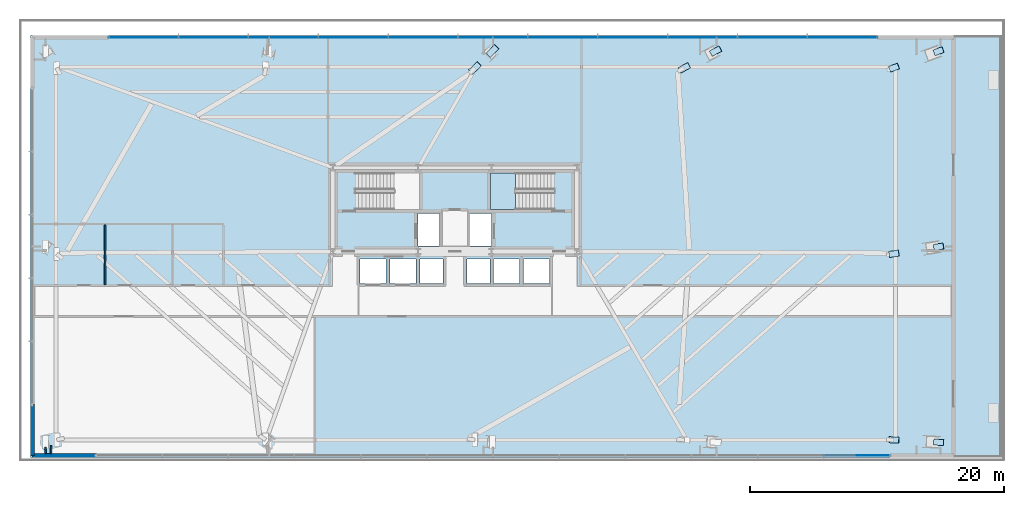
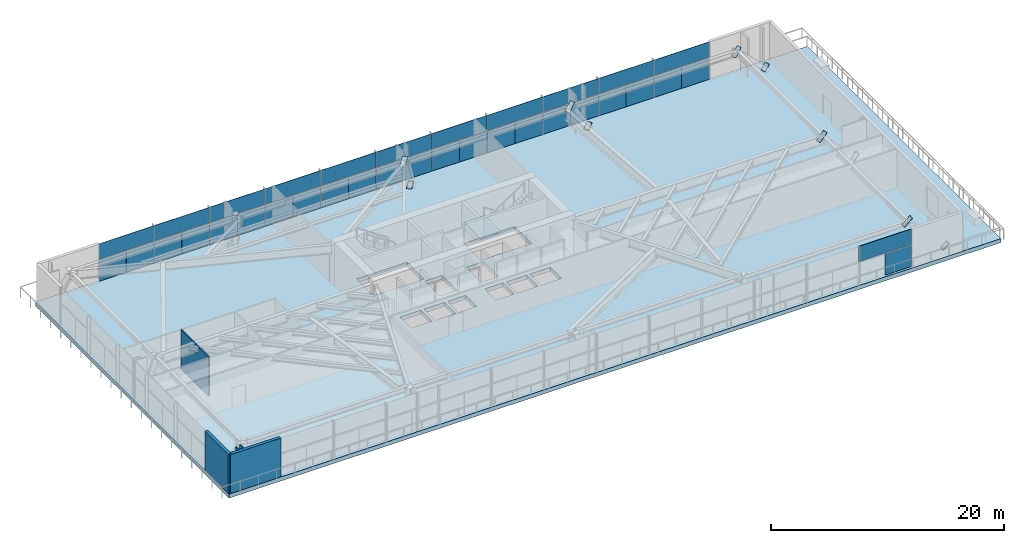
# One storey, part 23 of 33: 45 plates, 5 walls, 2 slabs, 3 elements without a shape of their own.
"""IFC4 building model written with IfcOpenShell, lengths in metres."""

from ifc_helpers import new_model, si_unit, direction, frame, frame_2d, origin, origin_2d, place, context, subcontext, project, spatial, polyline, rectangle, outline, extrude, source, transform, mapped, material, layer, layer_set, type_object, type_shapes, element, aggregate, save


model = new_model("IFC4")

# Units and contexts
model_context = context("Model", 3, precision=1e-05, world=origin(), true_north=direction((0.0, 1.0)))
body_context = subcontext(model_context, "Body", "Model", "MODEL_VIEW")
ifc_project = project(units=[si_unit("LENGTHUNIT", "METRE"), si_unit("AREAUNIT", "SQUARE_METRE"), si_unit("VOLUMEUNIT", "CUBIC_METRE"), si_unit("PLANEANGLEUNIT", "RADIAN"), si_unit("MASSUNIT", "GRAM", prefix="KILO")], contexts=[model_context])

# Site, building, storey
site_placement = place(None, origin())
site = spatial("IfcSite", under=ifc_project, at=site_placement, CompositionType="ELEMENT")
building_placement = place(site_placement, origin())
building = spatial("IfcBuilding", under=site, at=building_placement, Name="Astriad Promenade Condominiums", CompositionType="ELEMENT")
storey_placement = place(building_placement, frame((0.0, 0.0, 9.5)))
storey = spatial("IfcBuildingStorey", under=building, at=storey_placement, Name="L02", CompositionType="ELEMENT", Elevation=9.5)

# Slab
ifc_material_1 = material(Name="Concrete C60/75", Category="concrete")
ifc_layer_1 = layer(ifc_material_1, 0.419921875)
ifc_layer_set_1 = layer_set([ifc_layer_1], Name="Concrete C60/75")
slab_type_1 = type_object("IfcSlabType", Name="CONCRETE TRANSFER FLOOR SLAB 420", PredefinedType="FLOOR", material=ifc_layer_set_1)
slab_1_placement = place(storey_placement, frame((0.0, 0.0, -0.419921875)))
element("IfcSlab", 1, at=slab_1_placement, inside=storey, type_object=slab_type_1, Name="Structural Floor Slab (L02)", PredefinedType="FLOOR", context=body_context, shape_type="SweptSolid", body=[
    extrude(outline(polyline([(75.39990234375, 1.199951171875), (79.050048828125, 1.199951171875), (79.050048828125, 34.39990234375), (75.39990234375, 34.39990234375), (2.60009765625, 34.39990234375), (2.60009765625, 1.199951171875), (75.39990234375, 1.199951171875)]), holes=[polyline([(28.175048828125, 20.699951171875), (33.175048828125, 20.699951171875), (33.175048828125, 23.60009765625), (28.175048828125, 23.60009765625), (28.175048828125, 20.699951171875)]), polyline([(38.824951171875, 20.699951171875), (43.824951171875, 20.699951171875), (43.824951171875, 23.60009765625), (38.824951171875, 23.60009765625), (38.824951171875, 20.699951171875)]), polyline([(33.10009765625, 17.85009765625), (34.800048828125, 17.85009765625), (34.800048828125, 20.39990234375), (33.10009765625, 20.39990234375), (33.10009765625, 17.85009765625)]), polyline([(37.199951171875, 17.85009765625), (38.89990234375, 17.85009765625), (38.89990234375, 20.39990234375), (37.199951171875, 20.39990234375), (37.199951171875, 17.85009765625)]), polyline([(28.550048828125, 14.89990234375), (30.60009765625, 14.89990234375), (30.60009765625, 16.800048828125), (28.550048828125, 16.800048828125), (28.550048828125, 14.89990234375)]), polyline([(30.89990234375, 14.89990234375), (32.949951171875, 14.89990234375), (32.949951171875, 16.800048828125), (30.89990234375, 16.800048828125), (30.89990234375, 14.89990234375)]), polyline([(33.25, 14.89990234375), (35.050048828125, 14.89990234375), (35.050048828125, 16.800048828125), (33.25, 16.800048828125), (33.25, 14.89990234375)]), polyline([(36.949951171875, 14.89990234375), (38.75, 14.89990234375), (38.75, 16.800048828125), (36.949951171875, 16.800048828125), (36.949951171875, 14.89990234375)]), polyline([(39.050048828125, 14.89990234375), (41.10009765625, 14.89990234375), (41.10009765625, 16.800048828125), (39.050048828125, 16.800048828125), (39.050048828125, 14.89990234375)]), polyline([(41.39990234375, 14.89990234375), (43.449951171875, 14.89990234375), (43.449951171875, 16.800048828125), (41.39990234375, 16.800048828125), (41.39990234375, 14.89990234375)])]), origin(), (0.0, 0.0, 1.0), 0.419921875),
])

# Stair, slab
ifc_material_2 = material(Name="Concrete C50/60", Category="concrete")
stair_type = type_object("IfcStairType", Name="STR-CORE-1350", PredefinedType="HALF_TURN_STAIR", material=ifc_material_2)
stair_placement = place(storey_placement, origin())
stair = element("IfcStair", 2, at=stair_placement, inside=storey, type_object=stair_type, Name="L02 Enclosed Core Exit Stair ST-2", PredefinedType="HALF_TURN_STAIR")
ifc_layer_2 = layer(ifc_material_2, 0.219970703125)
ifc_layer_set_2 = layer_set([ifc_layer_2], Name="Concrete C50/60")
slab_type_2 = type_object("IfcSlabType", Name="SLB-LANDING-220", PredefinedType="LANDING", material=ifc_layer_set_2)
slab_2_placement = place(storey_placement, frame((0.0, 0.0, 2.050048828125)))
slab_2 = element("IfcSlab", 3, at=slab_2_placement, type_object=slab_type_2, Name="ST-2 landing 1", PredefinedType="LANDING", context=body_context, shape_type="SweptSolid", body=[
    extrude(outline(polyline([(40.77001953125, 23.60009765625), (38.800048828125, 23.60009765625), (38.800048828125, 20.699951171875), (40.77001953125, 20.699951171875), (40.77001953125, 23.60009765625)])), origin(), (0.0, 0.0, 1.0), 0.199951171875),
])
aggregate(stair, [slab_2])

# Plates
ifc_material_3 = material(Name="Steel ASTM A572 Grade 50", Category="steel")
ifc_layer_3 = layer(ifc_material_3, 0.02490234375)
ifc_layer_set_3 = layer_set([ifc_layer_3], Name="Steel ASTM A572 Grade 50")
plate_type_1 = type_object("IfcPlateType", Name="STEEL HOLLOW SECTION END CAP PLATE 30", PredefinedType="USERDEFINED", material=ifc_layer_set_3)
shared_shape_1 = source(origin(), body_context, "Body", "SweptSolid", [
    extrude(rectangle(XDim=0.477294921875, YDim=1.05126953125, at=origin_2d()), origin(), (0.0, 0.0, 1.0), 0.02490234375),
])
type_shapes(plate_type_1, [shared_shape_1])
for number, where, z_axis, x_axis, name in (
    (4, (74.0869140625, 2.386962890625, 0.14306640625), (-0.681120723954, 0.035848458998, 0.73129299695), (-0.052558832892, -0.998617829345, 0.0), "Hollow Section End Cap Plate COL-PC05-L02-A"),
    (5, (70.570068359375, 2.572021484375, 3.9189453125), (-0.681120723954, 0.035848458998, 0.73129299695), (-0.052558832892, -0.998617829345, 0.0), "Hollow Section End Cap Plate COL-PC05-L02-B"),
    (6, (38.96923828125, 33.1904296875, 0.08642578125), (-0.318616650015, -0.307660286014, 0.896564877041), (0.694630054833, -0.719367143344, 0.0), "Hollow Section End Cap Plate COL-PC08-L02-A"),
    (7, (37.588623046875, 31.857421875, 3.97119140625), (-0.318616650015, -0.307660286014, 0.896564877041), (0.694630054833, -0.719367143344, 0.0), "Hollow Section End Cap Plate COL-PC08-L02-B"),
    (8, (56.532470703125, 33.1787109375, 0.12060546875), (-0.519853292096, -0.277263598051, 0.808008324148), (0.470599479192, -0.882346944339, 0.0), "Hollow Section End Cap Plate COL-PC09-L02-A"),
    (9, (54.07568359375, 31.8681640625, 3.939208984375), (-0.519853292096, -0.277263598051, 0.808008324148), (0.470599479192, -0.882346944339, 0.0), "Hollow Section End Cap Plate COL-PC09-L02-B"),
    (10, (74.081787109375, 33.1689453125, 0.1484375), (-0.661031039096, -0.243535758035, 0.709738191103), (0.345702867579, -0.938344034642, 0.0), "Hollow Section End Cap Plate COL-PC10-L02-A"),
    (11, (70.57470703125, 31.876953125, 3.9140625), (-0.661031039096, -0.243535758035, 0.709738191103), (0.345702867579, -0.938344034642, 0.0), "Hollow Section End Cap Plate COL-PC10-L02-B"),
    (12, (74.086181640625, 17.77880859375, 0.143798828125), (-0.677634230996, -0.107005073999, 0.727572513995), (0.155977073424, -0.987760675754, 0.0), "Hollow Section End Cap Plate COL-PC12-L02-A"),
    (13, (70.571044921875, 17.2236328125, 3.91796875), (-0.677634230996, -0.107005073999, 0.727572513995), (0.155977073424, -0.987760675754, 0.0), "Hollow Section End Cap Plate COL-PC12-L02-B"),
):
    element("IfcPlate", number, at=place(storey_placement, frame(where, z_axis=z_axis, x_axis=x_axis)), inside=storey, type_object=plate_type_1, Name=name, ObjectType="STIFFENER_PLATE", PredefinedType="USERDEFINED", context=body_context, shape_type="MappedRepresentation", body=[
        mapped(shared_shape_1, transform((0.0, 0.0, 0.0), scale=1.0)),
    ])

# Curtain wall, plates
ifc_material_4 = material(Name="Anodised aluminium Black Dark Glass Unitised", Category="aluminium")
curtain_wall_type = type_object("IfcCurtainWallType", Name="CW-POD-DARK", PredefinedType="USERDEFINED", material=ifc_material_4)
curtain_wall_1_placement = place(storey_placement, origin())
curtain_wall_1 = element("IfcCurtainWall", 14, at=curtain_wall_1_placement, inside=storey, type_object=curtain_wall_type, Name="CW-L02-N", ObjectType="UNITISED_CURTAIN_WALL", PredefinedType="USERDEFINED")
ifc_material_5 = material(Name="Dark Tinted Low-E Laminated Glass", Category="glass")
ifc_layer_4 = layer(ifc_material_5, 0.035888671875)
ifc_layer_set_4 = layer_set([ifc_layer_4], Name="Dark Tinted Low-E Laminated Glass")
plate_type_2 = type_object("IfcPlateType", Name="PNL-DARK-GLASS-36", PredefinedType="CURTAIN_PANEL", material=ifc_layer_set_4)
shared_shape_2 = source(origin(), body_context, "Body", "SweptSolid", [
    extrude(rectangle(XDim=2.738037109375, YDim=0.035888671875, at=origin_2d()), origin(), (0.0, 0.0, 1.0), 2.22998046875),
])
plate_1_placement = place(storey_placement, frame((10.125, 34.25, 0.080078125), z_axis=(0.0, 0.0, 1.0), x_axis=(1.0, 0.0, 0.0)))
plate_1 = element("IfcPlate", 15, at=plate_1_placement, type_object=plate_type_2, Name="CW-L02-N-PNL-00-VL", PredefinedType="CURTAIN_PANEL", context=body_context, shape_type="MappedRepresentation", body=[
    mapped(shared_shape_2, transform((0.0, 0.0, 0.0), scale=1.0)),
])
plate_2_placement = place(storey_placement, frame((12.875, 34.25, 0.080078125), z_axis=(0.0, 0.0, 1.0), x_axis=(1.0, 0.0, 0.0)))
plate_2 = element("IfcPlate", 16, at=plate_2_placement, type_object=plate_type_2, Name="CW-L02-N-PNL-00-VR", PredefinedType="CURTAIN_PANEL", context=body_context, shape_type="MappedRepresentation", body=[
    mapped(shared_shape_2, transform((0.0, 0.0, 0.0), scale=1.0)),
])
plate_3_placement = place(storey_placement, frame((15.625, 34.25, 0.080078125), z_axis=(0.0, 0.0, 1.0), x_axis=(1.0, 0.0, 0.0)))
plate_3 = element("IfcPlate", 17, at=plate_3_placement, type_object=plate_type_2, Name="CW-L02-N-PNL-01-VL", PredefinedType="CURTAIN_PANEL", context=body_context, shape_type="MappedRepresentation", body=[
    mapped(shared_shape_2, transform((0.0, 0.0, 0.0), scale=1.0)),
])
plate_4_placement = place(storey_placement, frame((18.375, 34.25, 0.080078125), z_axis=(0.0, 0.0, 1.0), x_axis=(1.0, 0.0, 0.0)))
plate_4 = element("IfcPlate", 18, at=plate_4_placement, type_object=plate_type_2, Name="CW-L02-N-PNL-01-VR", PredefinedType="CURTAIN_PANEL", context=body_context, shape_type="MappedRepresentation", body=[
    mapped(shared_shape_2, transform((0.0, 0.0, 0.0), scale=1.0)),
])
plate_5_placement = place(storey_placement, frame((21.125, 34.25, 0.080078125), z_axis=(0.0, 0.0, 1.0), x_axis=(1.0, 0.0, 0.0)))
plate_5 = element("IfcPlate", 19, at=plate_5_placement, type_object=plate_type_2, Name="CW-L02-N-PNL-02-VL", PredefinedType="CURTAIN_PANEL", context=body_context, shape_type="MappedRepresentation", body=[
    mapped(shared_shape_2, transform((0.0, 0.0, 0.0), scale=1.0)),
])
plate_6_placement = place(storey_placement, frame((23.875, 34.25, 0.080078125), z_axis=(0.0, 0.0, 1.0), x_axis=(1.0, 0.0, 0.0)))
plate_6 = element("IfcPlate", 20, at=plate_6_placement, type_object=plate_type_2, Name="CW-L02-N-PNL-02-VR", PredefinedType="CURTAIN_PANEL", context=body_context, shape_type="MappedRepresentation", body=[
    mapped(shared_shape_2, transform((0.0, 0.0, 0.0), scale=1.0)),
])
plate_7_placement = place(storey_placement, frame((26.625, 34.25, 0.080078125), z_axis=(0.0, 0.0, 1.0), x_axis=(1.0, 0.0, 0.0)))
plate_7 = element("IfcPlate", 21, at=plate_7_placement, type_object=plate_type_2, Name="CW-L02-N-PNL-03-VL", PredefinedType="CURTAIN_PANEL", context=body_context, shape_type="MappedRepresentation", body=[
    mapped(shared_shape_2, transform((0.0, 0.0, 0.0), scale=1.0)),
])
plate_8_placement = place(storey_placement, frame((29.375, 34.25, 0.080078125), z_axis=(0.0, 0.0, 1.0), x_axis=(1.0, 0.0, 0.0)))
plate_8 = element("IfcPlate", 22, at=plate_8_placement, type_object=plate_type_2, Name="CW-L02-N-PNL-03-VR", PredefinedType="CURTAIN_PANEL", context=body_context, shape_type="MappedRepresentation", body=[
    mapped(shared_shape_2, transform((0.0, 0.0, 0.0), scale=1.0)),
])
plate_9_placement = place(storey_placement, frame((32.125, 34.25, 0.080078125), z_axis=(0.0, 0.0, 1.0), x_axis=(1.0, 0.0, 0.0)))
plate_9 = element("IfcPlate", 23, at=plate_9_placement, type_object=plate_type_2, Name="CW-L02-N-PNL-04-VL", PredefinedType="CURTAIN_PANEL", context=body_context, shape_type="MappedRepresentation", body=[
    mapped(shared_shape_2, transform((0.0, 0.0, 0.0), scale=1.0)),
])
plate_10_placement = place(storey_placement, frame((34.875, 34.25, 0.080078125), z_axis=(0.0, 0.0, 1.0), x_axis=(1.0, 0.0, 0.0)))
plate_10 = element("IfcPlate", 24, at=plate_10_placement, type_object=plate_type_2, Name="CW-L02-N-PNL-04-VR", PredefinedType="CURTAIN_PANEL", context=body_context, shape_type="MappedRepresentation", body=[
    mapped(shared_shape_2, transform((0.0, 0.0, 0.0), scale=1.0)),
])
plate_11_placement = place(storey_placement, frame((37.625, 34.25, 0.080078125), z_axis=(0.0, 0.0, 1.0), x_axis=(1.0, 0.0, 0.0)))
plate_11 = element("IfcPlate", 25, at=plate_11_placement, type_object=plate_type_2, Name="CW-L02-N-PNL-05-VL", PredefinedType="CURTAIN_PANEL", context=body_context, shape_type="MappedRepresentation", body=[
    mapped(shared_shape_2, transform((0.0, 0.0, 0.0), scale=1.0)),
])
plate_12_placement = place(storey_placement, frame((40.375, 34.25, 0.080078125), z_axis=(0.0, 0.0, 1.0), x_axis=(1.0, 0.0, 0.0)))
plate_12 = element("IfcPlate", 26, at=plate_12_placement, type_object=plate_type_2, Name="CW-L02-N-PNL-05-VR", PredefinedType="CURTAIN_PANEL", context=body_context, shape_type="MappedRepresentation", body=[
    mapped(shared_shape_2, transform((0.0, 0.0, 0.0), scale=1.0)),
])
plate_13_placement = place(storey_placement, frame((43.125, 34.25, 0.080078125), z_axis=(0.0, 0.0, 1.0), x_axis=(1.0, 0.0, 0.0)))
plate_13 = element("IfcPlate", 27, at=plate_13_placement, type_object=plate_type_2, Name="CW-L02-N-PNL-06-VL", PredefinedType="CURTAIN_PANEL", context=body_context, shape_type="MappedRepresentation", body=[
    mapped(shared_shape_2, transform((0.0, 0.0, 0.0), scale=1.0)),
])
plate_14_placement = place(storey_placement, frame((45.875, 34.25, 0.080078125), z_axis=(0.0, 0.0, 1.0), x_axis=(1.0, 0.0, 0.0)))
plate_14 = element("IfcPlate", 28, at=plate_14_placement, type_object=plate_type_2, Name="CW-L02-N-PNL-06-VR", PredefinedType="CURTAIN_PANEL", context=body_context, shape_type="MappedRepresentation", body=[
    mapped(shared_shape_2, transform((0.0, 0.0, 0.0), scale=1.0)),
])
plate_15_placement = place(storey_placement, frame((48.625, 34.25, 0.080078125), z_axis=(0.0, 0.0, 1.0), x_axis=(1.0, 0.0, 0.0)))
plate_15 = element("IfcPlate", 29, at=plate_15_placement, type_object=plate_type_2, Name="CW-L02-N-PNL-07-VL", PredefinedType="CURTAIN_PANEL", context=body_context, shape_type="MappedRepresentation", body=[
    mapped(shared_shape_2, transform((0.0, 0.0, 0.0), scale=1.0)),
])
plate_16_placement = place(storey_placement, frame((51.375, 34.25, 0.080078125), z_axis=(0.0, 0.0, 1.0), x_axis=(1.0, 0.0, 0.0)))
plate_16 = element("IfcPlate", 30, at=plate_16_placement, type_object=plate_type_2, Name="CW-L02-N-PNL-07-VR", PredefinedType="CURTAIN_PANEL", context=body_context, shape_type="MappedRepresentation", body=[
    mapped(shared_shape_2, transform((0.0, 0.0, 0.0), scale=1.0)),
])
plate_17_placement = place(storey_placement, frame((54.125, 34.25, 0.080078125), z_axis=(0.0, 0.0, 1.0), x_axis=(1.0, 0.0, 0.0)))
plate_17 = element("IfcPlate", 31, at=plate_17_placement, type_object=plate_type_2, Name="CW-L02-N-PNL-08-VL", PredefinedType="CURTAIN_PANEL", context=body_context, shape_type="MappedRepresentation", body=[
    mapped(shared_shape_2, transform((0.0, 0.0, 0.0), scale=1.0)),
])
plate_18_placement = place(storey_placement, frame((56.875, 34.25, 0.080078125), z_axis=(0.0, 0.0, 1.0), x_axis=(1.0, 0.0, 0.0)))
plate_18 = element("IfcPlate", 32, at=plate_18_placement, type_object=plate_type_2, Name="CW-L02-N-PNL-08-VR", PredefinedType="CURTAIN_PANEL", context=body_context, shape_type="MappedRepresentation", body=[
    mapped(shared_shape_2, transform((0.0, 0.0, 0.0), scale=1.0)),
])
plate_19_placement = place(storey_placement, frame((59.625, 34.25, 0.080078125), z_axis=(0.0, 0.0, 1.0), x_axis=(1.0, 0.0, 0.0)))
plate_19 = element("IfcPlate", 33, at=plate_19_placement, type_object=plate_type_2, Name="CW-L02-N-PNL-09-VL", PredefinedType="CURTAIN_PANEL", context=body_context, shape_type="MappedRepresentation", body=[
    mapped(shared_shape_2, transform((0.0, 0.0, 0.0), scale=1.0)),
])
plate_20_placement = place(storey_placement, frame((62.375, 34.25, 0.080078125), z_axis=(0.0, 0.0, 1.0), x_axis=(1.0, 0.0, 0.0)))
plate_20 = element("IfcPlate", 34, at=plate_20_placement, type_object=plate_type_2, Name="CW-L02-N-PNL-09-VR", PredefinedType="CURTAIN_PANEL", context=body_context, shape_type="MappedRepresentation", body=[
    mapped(shared_shape_2, transform((0.0, 0.0, 0.0), scale=1.0)),
])
plate_21_placement = place(storey_placement, frame((65.125, 34.25, 0.080078125), z_axis=(0.0, 0.0, 1.0), x_axis=(1.0, 0.0, 0.0)))
plate_21 = element("IfcPlate", 35, at=plate_21_placement, type_object=plate_type_2, Name="CW-L02-N-PNL-10-VL", PredefinedType="CURTAIN_PANEL", context=body_context, shape_type="MappedRepresentation", body=[
    mapped(shared_shape_2, transform((0.0, 0.0, 0.0), scale=1.0)),
])
plate_22_placement = place(storey_placement, frame((67.875, 34.25, 0.080078125), z_axis=(0.0, 0.0, 1.0), x_axis=(1.0, 0.0, 0.0)))
plate_22 = element("IfcPlate", 36, at=plate_22_placement, type_object=plate_type_2, Name="CW-L02-N-PNL-10-VR", PredefinedType="CURTAIN_PANEL", context=body_context, shape_type="MappedRepresentation", body=[
    mapped(shared_shape_2, transform((0.0, 0.0, 0.0), scale=1.0)),
])
shared_shape_3 = source(origin(), body_context, "Body", "SweptSolid", [
    extrude(rectangle(XDim=5.488037109375, YDim=0.035888671875, at=origin_2d()), origin(), (0.0, 0.0, 1.0), 1.610107421875),
])
plate_23_placement = place(storey_placement, frame((11.5, 34.25, 2.39013671875), z_axis=(0.0, 0.0, 1.0), x_axis=(1.0, 0.0, 0.0)))
plate_23 = element("IfcPlate", 37, at=plate_23_placement, type_object=plate_type_2, Name="CW-L02-N-PNL-00-S", PredefinedType="CURTAIN_PANEL", context=body_context, shape_type="MappedRepresentation", body=[
    mapped(shared_shape_3, transform((0.0, 0.0, 0.0), scale=1.0)),
])
plate_24_placement = place(storey_placement, frame((17.0, 34.25, 2.39013671875), z_axis=(0.0, 0.0, 1.0), x_axis=(1.0, 0.0, 0.0)))
plate_24 = element("IfcPlate", 38, at=plate_24_placement, type_object=plate_type_2, Name="CW-L02-N-PNL-01-S", PredefinedType="CURTAIN_PANEL", context=body_context, shape_type="MappedRepresentation", body=[
    mapped(shared_shape_3, transform((0.0, 0.0, 0.0), scale=1.0)),
])
plate_25_placement = place(storey_placement, frame((22.5, 34.25, 2.39013671875), z_axis=(0.0, 0.0, 1.0), x_axis=(1.0, 0.0, 0.0)))
plate_25 = element("IfcPlate", 39, at=plate_25_placement, type_object=plate_type_2, Name="CW-L02-N-PNL-02-S", PredefinedType="CURTAIN_PANEL", context=body_context, shape_type="MappedRepresentation", body=[
    mapped(shared_shape_3, transform((0.0, 0.0, 0.0), scale=1.0)),
])
plate_26_placement = place(storey_placement, frame((28.0, 34.25, 2.39013671875), z_axis=(0.0, 0.0, 1.0), x_axis=(1.0, 0.0, 0.0)))
plate_26 = element("IfcPlate", 40, at=plate_26_placement, type_object=plate_type_2, Name="CW-L02-N-PNL-03-S", PredefinedType="CURTAIN_PANEL", context=body_context, shape_type="MappedRepresentation", body=[
    mapped(shared_shape_3, transform((0.0, 0.0, 0.0), scale=1.0)),
])
plate_27_placement = place(storey_placement, frame((33.5, 34.25, 2.39013671875), z_axis=(0.0, 0.0, 1.0), x_axis=(1.0, 0.0, 0.0)))
plate_27 = element("IfcPlate", 41, at=plate_27_placement, type_object=plate_type_2, Name="CW-L02-N-PNL-04-S", PredefinedType="CURTAIN_PANEL", context=body_context, shape_type="MappedRepresentation", body=[
    mapped(shared_shape_3, transform((0.0, 0.0, 0.0), scale=1.0)),
])
plate_28_placement = place(storey_placement, frame((39.0, 34.25, 2.39013671875), z_axis=(0.0, 0.0, 1.0), x_axis=(1.0, 0.0, 0.0)))
plate_28 = element("IfcPlate", 42, at=plate_28_placement, type_object=plate_type_2, Name="CW-L02-N-PNL-05-S", PredefinedType="CURTAIN_PANEL", context=body_context, shape_type="MappedRepresentation", body=[
    mapped(shared_shape_3, transform((0.0, 0.0, 0.0), scale=1.0)),
])
plate_29_placement = place(storey_placement, frame((44.5, 34.25, 2.39013671875), z_axis=(0.0, 0.0, 1.0), x_axis=(1.0, 0.0, 0.0)))
plate_29 = element("IfcPlate", 43, at=plate_29_placement, type_object=plate_type_2, Name="CW-L02-N-PNL-06-S", PredefinedType="CURTAIN_PANEL", context=body_context, shape_type="MappedRepresentation", body=[
    mapped(shared_shape_3, transform((0.0, 0.0, 0.0), scale=1.0)),
])
plate_30_placement = place(storey_placement, frame((50.0, 34.25, 2.39013671875), z_axis=(0.0, 0.0, 1.0), x_axis=(1.0, 0.0, 0.0)))
plate_30 = element("IfcPlate", 44, at=plate_30_placement, type_object=plate_type_2, Name="CW-L02-N-PNL-07-S", PredefinedType="CURTAIN_PANEL", context=body_context, shape_type="MappedRepresentation", body=[
    mapped(shared_shape_3, transform((0.0, 0.0, 0.0), scale=1.0)),
])
plate_31_placement = place(storey_placement, frame((55.5, 34.25, 2.39013671875), z_axis=(0.0, 0.0, 1.0), x_axis=(1.0, 0.0, 0.0)))
plate_31 = element("IfcPlate", 45, at=plate_31_placement, type_object=plate_type_2, Name="CW-L02-N-PNL-08-S", PredefinedType="CURTAIN_PANEL", context=body_context, shape_type="MappedRepresentation", body=[
    mapped(shared_shape_3, transform((0.0, 0.0, 0.0), scale=1.0)),
])
plate_32_placement = place(storey_placement, frame((61.0, 34.25, 2.39013671875), z_axis=(0.0, 0.0, 1.0), x_axis=(1.0, 0.0, 0.0)))
plate_32 = element("IfcPlate", 46, at=plate_32_placement, type_object=plate_type_2, Name="CW-L02-N-PNL-09-S", PredefinedType="CURTAIN_PANEL", context=body_context, shape_type="MappedRepresentation", body=[
    mapped(shared_shape_3, transform((0.0, 0.0, 0.0), scale=1.0)),
])
plate_33_placement = place(storey_placement, frame((66.5, 34.25, 2.39013671875), z_axis=(0.0, 0.0, 1.0), x_axis=(1.0, 0.0, 0.0)))
plate_33 = element("IfcPlate", 47, at=plate_33_placement, type_object=plate_type_2, Name="CW-L02-N-PNL-10-S", PredefinedType="CURTAIN_PANEL", context=body_context, shape_type="MappedRepresentation", body=[
    mapped(shared_shape_3, transform((0.0, 0.0, 0.0), scale=1.0)),
])
aggregate(curtain_wall_1, [plate_1, plate_2, plate_23, plate_3, plate_4, plate_24, plate_5, plate_6, plate_25, plate_7, plate_8, plate_26, plate_9, plate_10, plate_27, plate_11, plate_12, plate_28, plate_13, plate_14, plate_29, plate_15, plate_16, plate_30, plate_17, plate_18, plate_31, plate_19, plate_20, plate_32, plate_21, plate_22, plate_33])

curtain_wall_2_placement = place(storey_placement, origin())
curtain_wall_2 = element("IfcCurtainWall", 48, at=curtain_wall_2_placement, inside=storey, type_object=curtain_wall_type, Name="CW-L02-S", ObjectType="UNITISED_CURTAIN_WALL", PredefinedType="USERDEFINED")
shared_shape_4 = source(origin(), body_context, "Body", "SweptSolid", [
    extrude(rectangle(XDim=2.59228515625, YDim=0.035888671875, at=origin_2d()), origin(), (0.0, 0.0, 1.0), 2.22998046875),
])
plate_34_placement = place(storey_placement, frame((68.947998046875, 1.35009765625, 0.080078125), z_axis=(0.0, 0.0, 1.0), x_axis=(-1.0, 0.0, 0.0)))
plate_34 = element("IfcPlate", 49, at=plate_34_placement, type_object=plate_type_2, Name="CW-L02-S-PNL-00-VL", PredefinedType="CURTAIN_PANEL", context=body_context, shape_type="MappedRepresentation", body=[
    mapped(shared_shape_4, transform((0.0, 0.0, 0.0), scale=1.0)),
])
shared_shape_5 = source(origin(), body_context, "Body", "SweptSolid", [
    extrude(rectangle(XDim=5.1962890625, YDim=0.035888671875, at=origin_2d()), origin(), (0.0, 0.0, 1.0), 1.610107421875),
])
type_shapes(plate_type_2, [shared_shape_2, shared_shape_3, shared_shape_4, shared_shape_5])
plate_35_placement = place(storey_placement, frame((67.645751953125, 1.35009765625, 2.39013671875), z_axis=(0.0, 0.0, 1.0), x_axis=(-1.0, 0.0, 0.0)))
plate_35 = element("IfcPlate", 50, at=plate_35_placement, type_object=plate_type_2, Name="CW-L02-S-PNL-00-S", PredefinedType="CURTAIN_PANEL", context=body_context, shape_type="MappedRepresentation", body=[
    mapped(shared_shape_5, transform((0.0, 0.0, 0.0), scale=1.0)),
])
aggregate(curtain_wall_2, [plate_34, plate_35])

# Walls
ifc_material_6 = material(Name="Precast concrete C50/60", Category="concrete")
ifc_layer_5 = layer(ifc_material_6, 0.300048828125)
ifc_layer_set_5 = layer_set([ifc_layer_5], Name="Precast concrete C50/60")
wall_type_1 = type_object("IfcWallType", Name="WALL-EXT-POD-300", PredefinedType="STANDARD", material=ifc_layer_set_5)
wall_1_placement = place(storey_placement, frame((2.75, 1.35009765625, 0.0), z_axis=(0.0, 0.0, 1.0), x_axis=(0.0, 1.0, 0.0)))
element("IfcWall", 51, at=wall_1_placement, inside=storey, type_object=wall_type_1, Name="W-EXT-L02-W1", PredefinedType="STANDARD", context=body_context, shape_type="SweptSolid", body=[
    extrude(rectangle(XDim=4.0, YDim=0.300048828125, at=frame_2d((2.0, 0.0))), origin(), (0.0, 0.0, 1.0), 4.080078125),
])
wall_2_placement = place(storey_placement, frame((7.75, 1.35009765625, 0.0), z_axis=(0.0, 0.0, 1.0), x_axis=(-1.0, 0.0, 0.0)))
element("IfcWall", 52, at=wall_2_placement, inside=storey, type_object=wall_type_1, Name="W-EXT-L02-S2", PredefinedType="STANDARD", context=body_context, shape_type="SweptSolid", body=[
    extrude(rectangle(XDim=5.0, YDim=0.300048828125, at=frame_2d((2.5, 0.0))), origin(), (0.0, 0.0, 1.0), 4.080078125),
])
ifc_material_7 = material(Name="Acoustic Metal-Stud Gypsum Partition")
ifc_layer_6 = layer(ifc_material_7, 0.1201171875)
ifc_layer_set_6 = layer_set([ifc_layer_6], Name="Acoustic Metal-Stud Gypsum Partition")
wall_type_2 = type_object("IfcWallType", Name="WALL-PART-120", PredefinedType="PARTITIONING", material=ifc_layer_set_6)
wall_3_placement = place(storey_placement, frame((8.47998046875, 14.802001953125, 0.0), z_axis=(0.0, 0.0, 1.0), x_axis=(0.0, 1.0, 0.0)))
element("IfcWall", 53, at=wall_3_placement, inside=storey, type_object=wall_type_2, Name="PT-L02-WC1", PredefinedType="PARTITIONING", context=body_context, shape_type="SweptSolid", body=[
    extrude(rectangle(XDim=4.696044921875, YDim=0.1201171875, at=frame_2d((2.34814453125, 0.0))), origin(), (0.0, 0.0, 1.0), 4.080078125),
])
wall_4_placement = place(storey_placement, frame((4.22998046875, 2.10009765625, 0.0), z_axis=(0.0, 0.0, 1.0), x_axis=(0.0, -1.0, 0.0)))
element("IfcWall", 54, at=wall_4_placement, inside=storey, type_object=wall_type_2, Name="PT-PIL-L02-PC01-8", PredefinedType="PARTITIONING", context=body_context, shape_type="SweptSolid", body=[
    extrude(rectangle(XDim=0.59814453125, YDim=0.1201171875, at=frame_2d((0.299072265625, 0.0))), origin(), (0.0, 0.0, 1.0), 4.080078125),
])
wall_5_placement = place(storey_placement, frame((3.780029296875, 2.0, 0.0), z_axis=(0.0, 0.0, 1.0), x_axis=(0.0, -1.0, 0.0)))
element("IfcWall", 55, at=wall_5_placement, inside=storey, type_object=wall_type_2, Name="PT-PIL-L02-PC01-20", PredefinedType="PARTITIONING", context=body_context, shape_type="SweptSolid", body=[
    extrude(rectangle(XDim=0.498046875, YDim=0.1201171875, at=frame_2d((0.2490234375, 0.0))), origin(), (0.0, 0.0, 1.0), 4.080078125),
])

save(model, "model.ifc")
